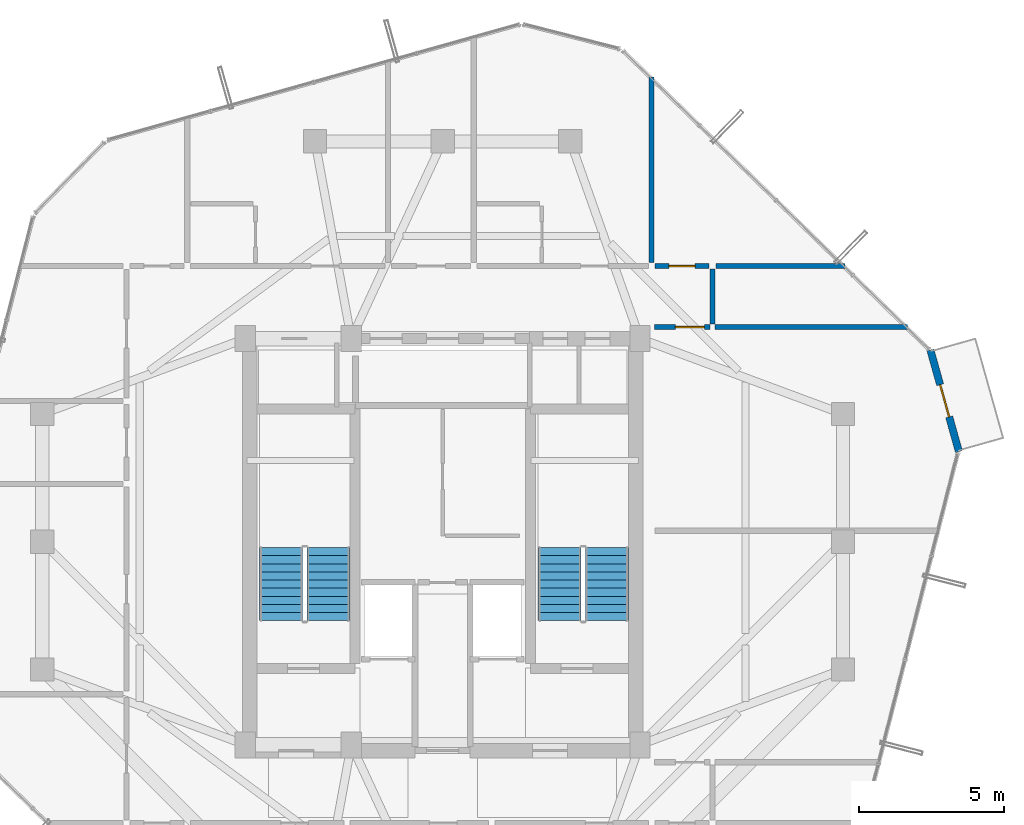
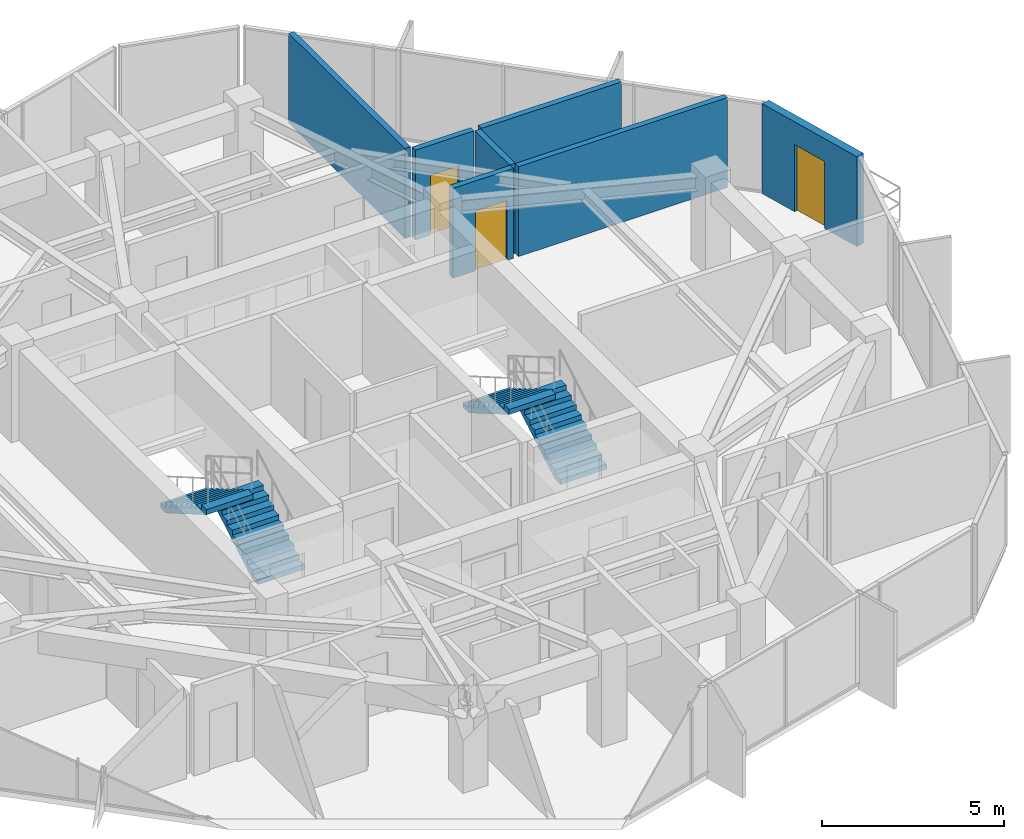
# One storey, part 27 of 29: 7 walls, 4 stair flights, 3 doors, 3 openings, 2 elements without a shape of their own.
"""IFC4 building model written with IfcOpenShell, lengths in metres."""

from ifc_helpers import new_model, si_unit, direction, frame, frame_2d, origin, place, context, subcontext, project, spatial, polyline, rectangle, outline, extrude, source, transform, mapped, material, layer, layer_set, type_object, element, fill, aggregate, save


model = new_model("IFC4")

# Units and contexts
model_context = context("Model", 3, precision=1e-05, world=origin(), true_north=direction((0.0, 1.0)))
body_context = subcontext(model_context, "Body", "Model", "MODEL_VIEW")
ifc_project = project(units=[si_unit("LENGTHUNIT", "METRE"), si_unit("AREAUNIT", "SQUARE_METRE"), si_unit("VOLUMEUNIT", "CUBIC_METRE"), si_unit("PLANEANGLEUNIT", "RADIAN"), si_unit("MASSUNIT", "GRAM", prefix="KILO")], contexts=[model_context])

# Site, building, storey
site_placement = place(None, origin())
site = spatial("IfcSite", under=ifc_project, at=site_placement, CompositionType="ELEMENT")
building_placement = place(site_placement, origin())
building = spatial("IfcBuilding", under=site, at=building_placement, Name="Veraguas Prism Commons", CompositionType="ELEMENT")
storey_placement = place(building_placement, frame((0.0, 0.0, 257.75)))
storey = spatial("IfcBuildingStorey", under=building, at=storey_placement, Name="L73", CompositionType="ELEMENT", Elevation=257.75)

# Walls
ifc_material_1 = material(Name="Autoclaved aerated masonry block 10 MPa", Category="masonry")
ifc_layer_1 = layer(ifc_material_1, 0.179931640625, Name="Corridor and Inter-Tenancy Partition 180", Category="masonry")
ifc_layer_set_1 = layer_set([ifc_layer_1], Name="Autoclaved aerated masonry block 10 MPa")
wall_type_1 = type_object("IfcWallType", Name="Corridor and Inter-Tenancy Partition 180", PredefinedType="PARTITIONING", material=ifc_layer_set_1)
wall_1_placement = place(storey_placement, frame((31.199951171875, 33.6201171875, 0.0), z_axis=(0.0, 0.0, 1.0), x_axis=(0.0, 1.0, 0.0)))
element("IfcWall", 1, at=wall_1_placement, inside=storey, type_object=wall_type_1, Name="WL-L73-PT015", PredefinedType="PARTITIONING", context=body_context, shape_type="SweptSolid", body=[
    extrude(rectangle(XDim=6.3896484375, YDim=0.179931640625, at=frame_2d((3.19482421875, 0.0))), origin(), (0.0, 0.0, 1.0), 3.014892578125),
])
wall_2_placement = place(storey_placement, frame((33.300048828125, 31.5, 0.0), z_axis=(0.0, 0.0, 1.0), x_axis=(0.0, 1.0, 0.0)))
element("IfcWall", 2, at=wall_2_placement, inside=storey, type_object=wall_type_1, Name="WL-L73-PT036", PredefinedType="PARTITIONING", context=body_context, shape_type="SweptSolid", body=[
    extrude(rectangle(XDim=1.89990234375, YDim=0.179931640625, at=frame_2d((0.949951171875, 0.0))), origin(), (0.0, 0.0, 1.0), 3.014892578125),
])

# Wall, opening, door
wall_3_placement = place(storey_placement, frame((31.300048828125, 31.39990234375, 0.0), z_axis=(0.0, 0.0, 1.0), x_axis=(1.0, 0.0, 0.0)))
wall_3 = element("IfcWall", 3, at=wall_3_placement, inside=storey, type_object=wall_type_1, Name="WL-L73-PT039", PredefinedType="PARTITIONING", context=body_context, shape_type="SweptSolid", body=[
    extrude(rectangle(XDim=1.919921875, YDim=0.179931640625, at=frame_2d((0.9599609375, 0.0))), origin(), (0.0, 0.0, 1.0), 3.014892578125),
])
opening_1_placement = place(wall_3_placement, frame((0.719970703125, 0.0, 0.0)))
opening_1 = element("IfcOpeningElement", 4, at=opening_1_placement, cuts=wall_3, Name="Opening DR-13", PredefinedType="OPENING", context=body_context, shape_type="SweptSolid", body=[
    extrude(rectangle(XDim=1.0, YDim=2.010009765625, at=frame_2d((0.5, 1.0048828125))), frame((0.0, 0.099853515625, 0.0), z_axis=(0.0, -1.0, 0.0), x_axis=(1.0, 0.0, 0.0)), (0.0, 0.0, 1.0), 0.199951171875),
])
ifc_material_2 = material(Name="Steel fire-rated door assembly", Category="steel")
door_type_1 = type_object("IfcDoorType", Name="Core Accessible WC and Clinic Fire Door 1000x2010", OperationType="NOTDEFINED", PredefinedType="DOOR", material=ifc_material_2)
shared_shape_1 = source(origin(), body_context, "Body", "SweptSolid", [
    extrude(rectangle(XDim=1.0, YDim=2.010009765625, at=frame_2d((0.5, 1.0048828125))), frame((0.0, 0.02490234375, 0.0), z_axis=(0.0, -1.0, 0.0), x_axis=(1.0, 0.0, 0.0)), (0.0, 0.0, 1.0), 0.050048828125),
])
door_1_placement = place(opening_1_placement, origin())
door_1 = element("IfcDoor", 5, at=door_1_placement, inside=storey, type_object=door_type_1, Name="Study Salon Door L73", OperationType="SINGLE_SWING_RIGHT", OverallHeight=2.010009765625, OverallWidth=1.0, PredefinedType="DOOR", context=body_context, shape_type="MappedRepresentation", body=[
    mapped(shared_shape_1, transform((0.0, 0.0, 0.0), scale=1.0)),
])
fill(opening_1, door_1)

# Walls
wall_4_placement = place(storey_placement, frame((33.3798828125, 31.39990234375, 0.0), z_axis=(0.0, 0.0, 1.0), x_axis=(1.0, 0.0, 0.0)))
element("IfcWall", 6, at=wall_4_placement, inside=storey, type_object=wall_type_1, Name="WL-L73-PT040", PredefinedType="PARTITIONING", context=body_context, shape_type="SweptSolid", body=[
    extrude(rectangle(XDim=6.63671875, YDim=0.179931640625, at=frame_2d((3.318359375, 0.0))), origin(), (0.0, 0.0, 1.0), 3.014892578125),
])
wall_5_placement = place(storey_placement, frame((33.419921875, 33.5, 0.0), z_axis=(0.0, 0.0, 1.0), x_axis=(1.0, 0.0, 0.0)))
element("IfcWall", 7, at=wall_5_placement, inside=storey, type_object=wall_type_1, Name="WL-L73-PT045", PredefinedType="PARTITIONING", context=body_context, shape_type="SweptSolid", body=[
    extrude(rectangle(XDim=4.446044921875, YDim=0.179931640625, at=frame_2d((2.22314453125, 0.0))), origin(), (0.0, 0.0, 1.0), 3.014892578125),
])

# Wall, opening, door
wall_6_placement = place(storey_placement, frame((31.320068359375, 33.5, 0.0), z_axis=(0.0, 0.0, 1.0), x_axis=(1.0, 0.0, 0.0)))
wall_6 = element("IfcWall", 8, at=wall_6_placement, inside=storey, type_object=wall_type_1, Name="WL-L73-PT046", PredefinedType="PARTITIONING", context=body_context, shape_type="SweptSolid", body=[
    extrude(rectangle(XDim=1.85986328125, YDim=0.179931640625, at=frame_2d((0.929931640625, 0.0))), origin(), (0.0, 0.0, 1.0), 3.014892578125),
])
opening_2_placement = place(wall_6_placement, frame((0.47998046875, 0.0, 0.0)))
opening_2 = element("IfcOpeningElement", 9, at=opening_2_placement, cuts=wall_6, Name="Opening DR-14", PredefinedType="OPENING", context=body_context, shape_type="SweptSolid", body=[
    extrude(rectangle(XDim=0.89990234375, YDim=2.010009765625, at=frame_2d((0.449951171875, 1.0048828125))), frame((0.0, 0.099853515625, 0.0), z_axis=(0.0, -1.0, 0.0), x_axis=(1.0, 0.0, 0.0)), (0.0, 0.0, 1.0), 0.199951171875),
])
door_type_2 = type_object("IfcDoorType", Name="Core Service Room Fire Door 900x2010", OperationType="NOTDEFINED", PredefinedType="DOOR", material=ifc_material_2)
shared_shape_2 = source(origin(), body_context, "Body", "SweptSolid", [
    extrude(rectangle(XDim=0.89990234375, YDim=2.010009765625, at=frame_2d((0.449951171875, 1.0048828125))), frame((0.0, 0.02490234375, 0.0), z_axis=(0.0, -1.0, 0.0), x_axis=(1.0, 0.0, 0.0)), (0.0, 0.0, 1.0), 0.050048828125),
])
door_2_placement = place(opening_2_placement, origin())
door_2 = element("IfcDoor", 10, at=door_2_placement, inside=storey, type_object=door_type_2, Name="Residents Corner Study Room NE Door", OperationType="SINGLE_SWING_RIGHT", OverallHeight=2.010009765625, OverallWidth=0.89990234375, PredefinedType="DOOR", context=body_context, shape_type="MappedRepresentation", body=[
    mapped(shared_shape_2, transform((0.0, 0.0, 0.0), scale=1.0)),
])
fill(opening_2, door_2)

ifc_material_3 = material(Name="Precast concrete C40/50", Category="concrete")
ifc_layer_2 = layer(ifc_material_3, 0.25, Name="External Loggia and Portal Wall 250", Category="concrete")
ifc_layer_set_2 = layer_set([ifc_layer_2], Name="Precast concrete C40/50")
wall_type_2 = type_object("IfcWallType", Name="External Loggia and Portal Wall 250", PredefinedType="SOLIDWALL", material=ifc_layer_set_2)
wall_7_placement = place(storey_placement, frame((41.794921875, 27.103515625, 0.0), z_axis=(0.0, 0.0, 1.0), x_axis=(-0.270238950575, 0.962793284974, 0.0)))
wall_7 = element("IfcWall", 11, at=wall_7_placement, inside=storey, type_object=wall_type_2, Name="Corner Loggia Wall L73-C1", PredefinedType="SOLIDWALL", context=body_context, shape_type="SweptSolid", body=[
    extrude(rectangle(XDim=3.642578125, YDim=0.25, at=frame_2d((1.8212890625, 0.0))), origin(), (0.0, 0.0, 1.0), 3.014892578125),
])
opening_3_placement = place(wall_7_placement, frame((1.24609375, 0.0, 0.0)))
opening_3 = element("IfcOpeningElement", 12, at=opening_3_placement, cuts=wall_7, Name="Opening DR-10", PredefinedType="OPENING", context=body_context, shape_type="SweptSolid", body=[
    extrude(rectangle(XDim=1.14990234375, YDim=2.25, at=frame_2d((0.574951171875, 1.125))), frame((0.0, 0.135009765625, 0.0), z_axis=(0.0, -1.0, 0.0), x_axis=(1.0, 0.0, 0.0)), (0.0, 0.0, 1.0), 0.27001953125),
])
ifc_material_4 = material(Name="Anodised aluminium EN AW-6063 T6", Category="aluminium")
door_type_3 = type_object("IfcDoorType", Name="Glazed Loggia and Terrace Door 1150x2250", OperationType="NOTDEFINED", PredefinedType="DOOR", material=ifc_material_4)
shared_shape_3 = source(origin(), body_context, "Body", "SweptSolid", [
    extrude(rectangle(XDim=1.14990234375, YDim=2.25, at=frame_2d((0.574951171875, 1.125))), frame((0.0, 0.02490234375, 0.0), z_axis=(0.0, -1.0, 0.0), x_axis=(1.0, 0.0, 0.0)), (0.0, 0.0, 1.0), 0.050048828125),
])
door_3_placement = place(opening_3_placement, frame((1.14990234375, 0.0, 0.0), z_axis=(0.0, 0.0, 1.0), x_axis=(-1.0, 0.0, 0.0)))
door_3 = element("IfcDoor", 13, at=door_3_placement, inside=storey, type_object=door_type_3, Name="Recessed Loggia Door L73-C1", OperationType="SINGLE_SWING_LEFT", OverallHeight=2.25, OverallWidth=1.14990234375, PredefinedType="DOOR", context=body_context, shape_type="MappedRepresentation", body=[
    mapped(shared_shape_3, transform((0.0, 0.0, 0.0), scale=1.0)),
])
fill(opening_3, door_3)

# Stair, stair flights
ifc_material_5 = material(Name="Precast concrete C45/55", Category="concrete")
stair_type = type_object("IfcStairType", Name="Dogleg Core Stair 1480W 20R 05", PredefinedType="HALF_TURN_STAIR", material=ifc_material_5)
stair_1_placement = place(storey_placement, origin())
stair_1 = element("IfcStair", 14, at=stair_1_placement, inside=storey, type_object=stair_type, Name="Protected Exit Stair ST-01 L73", PredefinedType="HALF_TURN_STAIR")
stair_flight_type = type_object("IfcStairFlightType", Name="Precast Stair Flight 1480W 10R 05", PredefinedType="STRAIGHT", material=ifc_material_5)
stair_flight_1_placement = place(storey_placement, frame((20.06005859375, 21.280029296875, 0.0), z_axis=(0.0, 0.0, 1.0), x_axis=(0.0, 1.0, 0.0)))
stair_flight_1 = element("IfcStairFlight", 15, at=stair_flight_1_placement, type_object=stair_flight_type, Name="ST-05 Flight 1", NumberOfRisers=10, NumberOfTreads=9, PredefinedType="STRAIGHT", RiserHeight=0.1625, TreadLength=0.28, context=body_context, shape_type="SweptSolid", body=[
    extrude(outline(polyline([(0.0, 0.0), (0.0, 0.16259765625), (0.280029296875, 0.16259765625), (0.280029296875, 0.324951171875), (0.56005859375, 0.324951171875), (0.56005859375, 0.487548828125), (0.840087890625, 0.487548828125), (0.840087890625, 0.64990234375), (1.1201171875, 0.64990234375), (1.1201171875, 0.8125), (1.39990234375, 0.8125), (1.39990234375, 0.97509765625), (1.679931640625, 0.97509765625), (1.679931640625, 1.137451171875), (1.9599609375, 1.137451171875), (1.9599609375, 1.300048828125), (2.239990234375, 1.300048828125), (2.239990234375, 1.46240234375), (2.52001953125, 1.46240234375), (2.52001953125, 1.625), (2.52001953125, 1.2890625), (0.298583984375, 0.0), (0.0, 0.0)])), frame((0.0, 0.739990234375, 0.0), z_axis=(0.0, -1.0, 0.0), x_axis=(1.0, 0.0, 0.0)), (0.0, 0.0, 1.0), 1.47998046875),
])
stair_flight_2_placement = place(storey_placement, frame((18.429931640625, 23.800048828125, 1.625), z_axis=(0.0, 0.0, 1.0), x_axis=(0.0, -1.0, 0.0)))
stair_flight_2 = element("IfcStairFlight", 16, at=stair_flight_2_placement, type_object=stair_flight_type, Name="ST-05 Flight 2", NumberOfRisers=10, NumberOfTreads=9, PredefinedType="STRAIGHT", RiserHeight=0.1625, TreadLength=0.28, context=body_context, shape_type="SweptSolid", body=[
    extrude(outline(polyline([(0.0, 0.0), (0.0, 0.16259765625), (0.280029296875, 0.16259765625), (0.280029296875, 0.324951171875), (0.56005859375, 0.324951171875), (0.56005859375, 0.487548828125), (0.840087890625, 0.487548828125), (0.840087890625, 0.64990234375), (1.1201171875, 0.64990234375), (1.1201171875, 0.8125), (1.39990234375, 0.8125), (1.39990234375, 0.97509765625), (1.679931640625, 0.97509765625), (1.679931640625, 1.137451171875), (1.9599609375, 1.137451171875), (1.9599609375, 1.300048828125), (2.239990234375, 1.300048828125), (2.239990234375, 1.46240234375), (2.52001953125, 1.46240234375), (2.52001953125, 1.625), (2.52001953125, 1.2890625), (0.298583984375, 0.0), (0.0, 0.0)])), frame((0.0, 0.739990234375, 0.0), z_axis=(0.0, -1.0, 0.0), x_axis=(1.0, 0.0, 0.0)), (0.0, 0.0, 1.0), 1.47998046875),
])
aggregate(stair_1, [stair_flight_1, stair_flight_2])

stair_2_placement = place(storey_placement, origin())
stair_2 = element("IfcStair", 17, at=stair_2_placement, inside=storey, type_object=stair_type, Name="Protected Exit Stair ST-02 L73", PredefinedType="HALF_TURN_STAIR")
stair_flight_3_placement = place(storey_placement, frame((29.659912109375, 21.280029296875, 0.0), z_axis=(0.0, 0.0, 1.0), x_axis=(0.0, 1.0, 0.0)))
stair_flight_3 = element("IfcStairFlight", 18, at=stair_flight_3_placement, type_object=stair_flight_type, Name="ST-05 Flight 1", NumberOfRisers=10, NumberOfTreads=9, PredefinedType="STRAIGHT", RiserHeight=0.1625, TreadLength=0.28, context=body_context, shape_type="SweptSolid", body=[
    extrude(outline(polyline([(0.0, 0.0), (0.0, 0.16259765625), (0.280029296875, 0.16259765625), (0.280029296875, 0.324951171875), (0.56005859375, 0.324951171875), (0.56005859375, 0.487548828125), (0.840087890625, 0.487548828125), (0.840087890625, 0.64990234375), (1.1201171875, 0.64990234375), (1.1201171875, 0.8125), (1.39990234375, 0.8125), (1.39990234375, 0.97509765625), (1.679931640625, 0.97509765625), (1.679931640625, 1.137451171875), (1.9599609375, 1.137451171875), (1.9599609375, 1.300048828125), (2.239990234375, 1.300048828125), (2.239990234375, 1.46240234375), (2.52001953125, 1.46240234375), (2.52001953125, 1.625), (2.52001953125, 1.2890625), (0.298583984375, 0.0), (0.0, 0.0)])), frame((0.0, 0.739990234375, 0.0), z_axis=(0.0, -1.0, 0.0), x_axis=(1.0, 0.0, 0.0)), (0.0, 0.0, 1.0), 1.47998046875),
])
stair_flight_4_placement = place(storey_placement, frame((28.030029296875, 23.800048828125, 1.625), z_axis=(0.0, 0.0, 1.0), x_axis=(0.0, -1.0, 0.0)))
stair_flight_4 = element("IfcStairFlight", 19, at=stair_flight_4_placement, type_object=stair_flight_type, Name="ST-05 Flight 2", NumberOfRisers=10, NumberOfTreads=9, PredefinedType="STRAIGHT", RiserHeight=0.1625, TreadLength=0.28, context=body_context, shape_type="SweptSolid", body=[
    extrude(outline(polyline([(0.0, 0.0), (0.0, 0.16259765625), (0.280029296875, 0.16259765625), (0.280029296875, 0.324951171875), (0.56005859375, 0.324951171875), (0.56005859375, 0.487548828125), (0.840087890625, 0.487548828125), (0.840087890625, 0.64990234375), (1.1201171875, 0.64990234375), (1.1201171875, 0.8125), (1.39990234375, 0.8125), (1.39990234375, 0.97509765625), (1.679931640625, 0.97509765625), (1.679931640625, 1.137451171875), (1.9599609375, 1.137451171875), (1.9599609375, 1.300048828125), (2.239990234375, 1.300048828125), (2.239990234375, 1.46240234375), (2.52001953125, 1.46240234375), (2.52001953125, 1.625), (2.52001953125, 1.2890625), (0.298583984375, 0.0), (0.0, 0.0)])), frame((0.0, 0.739990234375, 0.0), z_axis=(0.0, -1.0, 0.0), x_axis=(1.0, 0.0, 0.0)), (0.0, 0.0, 1.0), 1.47998046875),
])
aggregate(stair_2, [stair_flight_3, stair_flight_4])

save(model, "model.ifc")
